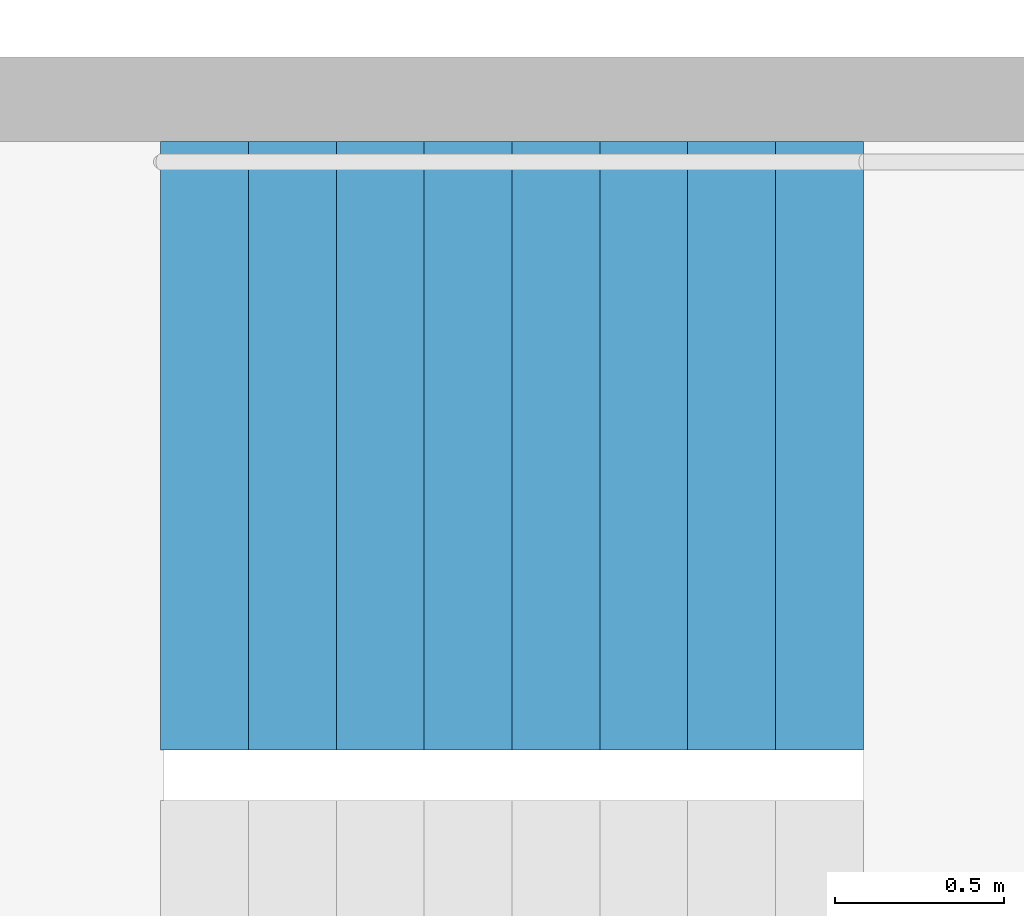
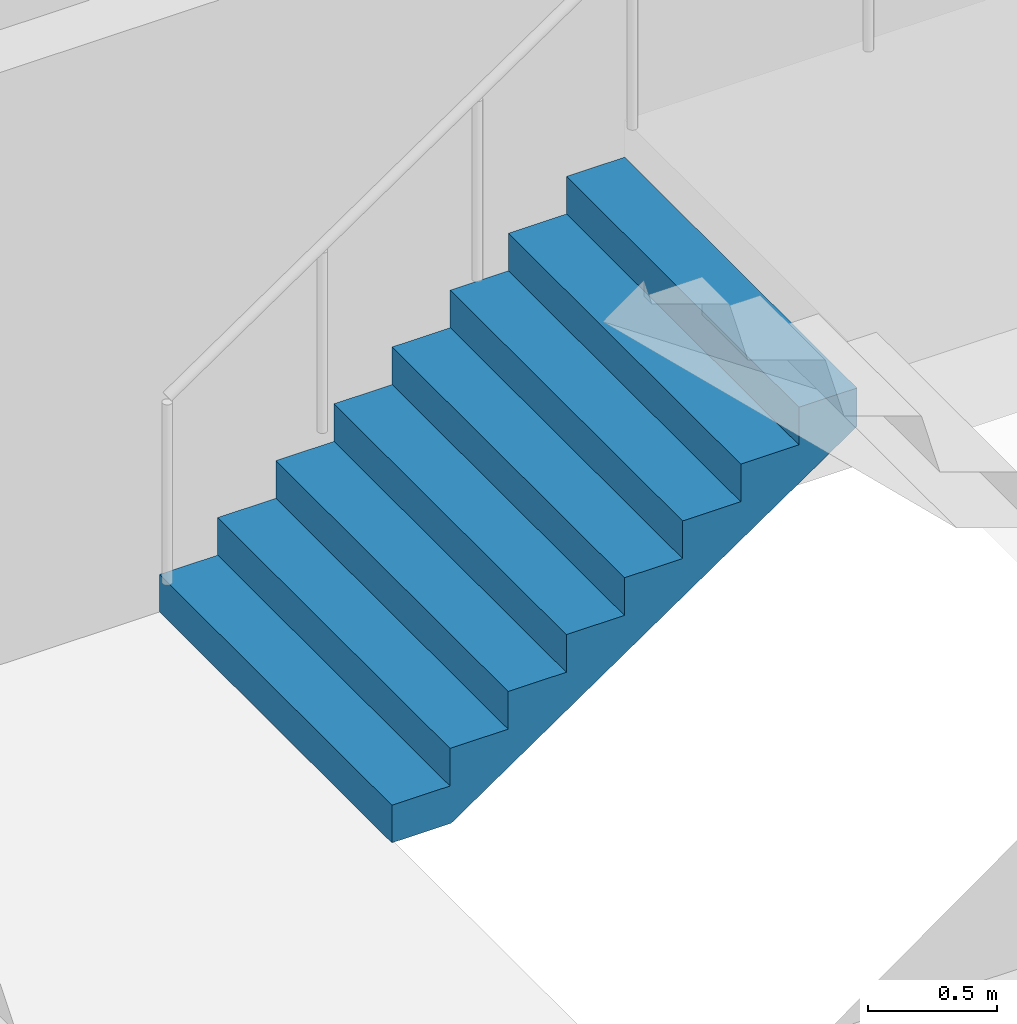
# One storey, part 26 of 29: 1 stair flight, 1 element without a shape of its own.
"""IFC4 building model written with IfcOpenShell, lengths in metres."""

import ifcopenshell
import ifcopenshell.guid

model = None  # the IFC model being written
_history = None  # IfcOwnerHistory: only IFC2X3 demands one
_inside = {}  # id of a spatial element -> (the spatial element, [elements in it])
_under = {}  # id of a project, library or spatial element -> (it, [spatial elements below it])
_declared = {}  # id of a project -> (the project, [libraries it declares])
_typed = {}  # id of a type object -> (the type object, [elements of that type])
_made_of = {}  # id of a material, layer set ... -> (it, [elements and type objects made of it])


def new_model(schema):
    """Start an empty IFC model of exactly this schema.

    Asked for "IFC4X3", IfcOpenShell would pick the latest addendum, in which some entities
    have other attributes; the version numbers below select the first issue.
    IFC2X3 requires an IfcOwnerHistory on every rooted entity: one is made here for all.
    """
    global model, _history
    if schema == "IFC4X3":
        model = ifcopenshell.file(schema_version=(4, 3, 0, 0))
    else:
        model = ifcopenshell.file(schema=schema)
    _inside.clear()
    _under.clear()
    _declared.clear()
    _typed.clear()
    _made_of.clear()
    _history = None
    if model.schema == "IFC2X3":
        org = make("IfcOrganization", Name="unknown")
        user = make(
            "IfcPersonAndOrganization",
            ThePerson=make("IfcPerson", FamilyName="unknown"),
            TheOrganization=org,
        )
        app = make(
            "IfcApplication",
            ApplicationDeveloper=org,
            Version="unknown",
            ApplicationFullName="unknown",
            ApplicationIdentifier="unknown",
        )
        _history = make(
            "IfcOwnerHistory",
            OwningUser=user,
            OwningApplication=app,
            ChangeAction="ADDED",
            CreationDate=0,
        )
    return model


def make(cls, **values):
    """One entity of the class cls with the attributes given. An attribute that is None is left unset."""
    return model.create_entity(
        cls, **{name: value for name, value in values.items() if value is not None}
    )


def rooted(cls, **values):
    """An entity with a GlobalId (a new one), such as an element, a storey or a relation."""
    return make(cls, GlobalId=ifcopenshell.guid.new(), OwnerHistory=_history, **values)


def si_unit(unit_type, name, prefix=None):
    """IfcSIUnit, for example si_unit("LENGTHUNIT", "METRE", prefix="MILLI")."""
    return make("IfcSIUnit", UnitType=unit_type, Prefix=prefix, Name=name)


def assignment(units):
    """IfcUnitAssignment: the units of a project."""
    return None if units is None else make("IfcUnitAssignment", Units=units)


def point(xyz):
    """IfcCartesianPoint."""
    return None if xyz is None else make("IfcCartesianPoint", Coordinates=xyz)


def direction(xyz):
    """IfcDirection."""
    return None if xyz is None else make("IfcDirection", DirectionRatios=xyz)


def frame(location, z_axis=None, x_axis=None):
    """IfcAxis2Placement3D, a coordinate frame: its origin and axes. An axis left out is left unset."""
    return make(
        "IfcAxis2Placement3D",
        Location=point(location),
        Axis=direction(z_axis),
        RefDirection=direction(x_axis),
    )


def origin():
    """The frame at (0, 0, 0) with its axes left unset."""
    return frame((0.0, 0.0, 0.0))


def place(relative_to, where):
    """IfcLocalPlacement: puts the frame where relative to a parent placement (None: the world)."""
    return make(
        "IfcLocalPlacement", PlacementRelTo=relative_to, RelativePlacement=where
    )


def context(
    kind, dimensions, precision=None, world=None, true_north=None, identifier=None
):
    """IfcGeometricRepresentationContext, for example the 3D "Model" context."""
    return make(
        "IfcGeometricRepresentationContext",
        ContextIdentifier=identifier,
        ContextType=kind,
        CoordinateSpaceDimension=dimensions,
        Precision=precision,
        WorldCoordinateSystem=world,
        TrueNorth=true_north,
    )


def subcontext(parent, identifier, kind, view, scale=None):
    """IfcGeometricRepresentationSubContext, for example "Body" below "Model"."""
    return make(
        "IfcGeometricRepresentationSubContext",
        ContextIdentifier=identifier,
        ContextType=kind,
        ParentContext=parent,
        TargetScale=scale,
        TargetView=view,
    )


def project(units=None, contexts=None):
    """IfcProject with its units and contexts."""
    return rooted(
        "IfcProject",
        Name="project",
        RepresentationContexts=contexts,
        UnitsInContext=assignment(units),
    )


def spatial(cls, under=None, at=None, **own):
    """A site, building, storey or space (cls), placed at a placement, below another one or the project."""
    s = rooted(cls, ObjectPlacement=at, **own)
    if under is not None:
        _under.setdefault(under.id(), (under, []))[1].append(s)
    return s


def point_list(points):
    """IfcCartesianPointList2D or 3D."""
    cls = (
        "IfcCartesianPointList2D" if len(points[0]) == 2 else "IfcCartesianPointList3D"
    )
    return make(cls, CoordList=points)


def triangles(points, corners, closed=None, point_numbers=None):
    """IfcTriangulatedFaceSet: each triangle names its three corners, points numbered from 1."""
    return make(
        "IfcTriangulatedFaceSet",
        Coordinates=point_list(points),
        Closed=closed,
        CoordIndex=corners,
        PnIndex=point_numbers,
    )


def shape(context_of_items, identifier, shape_type, items):
    """IfcShapeRepresentation: the items that make up one representation, for example the "Body"."""
    return make(
        "IfcShapeRepresentation",
        ContextOfItems=context_of_items,
        RepresentationIdentifier=identifier,
        RepresentationType=shape_type,
        Items=items,
    )


def material(Name=None, Category=None):
    """IfcMaterial."""
    return make("IfcMaterial", Name=Name, Category=Category)


def made_of(thing, what):
    """Note that an element or type object is made of a material, layer set ...; save() writes the relation."""
    if what is not None:
        _made_of.setdefault(what.id(), (what, []))[1].append(thing)
    return thing


def type_object(cls, material=None, **own):
    """A type object (cls), such as IfcWallType, which elements share."""
    return made_of(rooted(cls, **own), material)


def element(
    cls,
    number,
    at=None,
    inside=None,
    cuts=None,
    type_object=None,
    material=None,
    context=None,
    identifier="Body",
    shape_type=None,
    held_by="IfcProductDefinitionShape",
    body=None,
    shapes=None,
    **own,
):
    """One element of the class cls, such as IfcWall. Its Tag is "e" and its number.

    at: its placement. inside: the storey or other place that contains it. cuts: it is an
    opening in that element (IfcRelVoidsElement). A single representation is given by context,
    identifier, shape_type and body (its items); several are given by shapes. held_by: the class
    of the entity that holds the representations. save() writes the other relations.
    """
    e = rooted(cls, Tag="e%d" % number, ObjectPlacement=at, **own)
    if body is not None:
        shapes = [shape(context, identifier, shape_type, body)]
    if shapes is not None:
        e.Representation = make(held_by, Representations=shapes)
    if inside is not None:
        _inside.setdefault(inside.id(), (inside, []))[1].append(e)
    if cuts is not None:
        rooted(
            "IfcRelVoidsElement", RelatingBuildingElement=cuts, RelatedOpeningElement=e
        )
    if type_object is not None:
        _typed.setdefault(type_object.id(), (type_object, []))[1].append(e)
    return made_of(e, material)


def aggregate(whole, parts):
    """IfcRelAggregates: a whole, such as a stair, and the parts it consists of."""
    return rooted("IfcRelAggregates", RelatingObject=whole, RelatedObjects=parts)


def save(model, path):
    """Write the relations noted so far, then the file.

    IfcRelAggregates (storeys below a building ...), IfcRelContainedInSpatialStructure (elements
    in a storey), IfcRelDefinesByType, IfcRelAssociatesMaterial and IfcRelDeclares: one each for
    every whole, place, type object, material and project.
    """
    for whole, parts in _under.values():
        aggregate(whole, parts)
    for where, things in _inside.values():
        rooted(
            "IfcRelContainedInSpatialStructure",
            RelatedElements=things,
            RelatingStructure=where,
        )
    for kind, things in _typed.values():
        rooted("IfcRelDefinesByType", RelatedObjects=things, RelatingType=kind)
    for what, things in _made_of.values():
        rooted("IfcRelAssociatesMaterial", RelatedObjects=things, RelatingMaterial=what)
    for by, libraries in _declared.values():
        rooted("IfcRelDeclares", RelatingContext=by, RelatedDefinitions=libraries)
    model.write(path)


model = new_model("IFC4")

# Units and contexts
model_context = context("Model", 3, precision=1e-05, world=origin(), true_north=direction((0.0, 1.0)))
body_context = subcontext(model_context, "Body", "Model", "MODEL_VIEW")
ifc_project = project(units=[si_unit("LENGTHUNIT", "METRE"), si_unit("AREAUNIT", "SQUARE_METRE"), si_unit("VOLUMEUNIT", "CUBIC_METRE"), si_unit("PLANEANGLEUNIT", "RADIAN"), si_unit("MASSUNIT", "GRAM", prefix="KILO")], contexts=[model_context])

# Site, building, storey
site_placement = place(None, origin())
site = spatial("IfcSite", under=ifc_project, at=site_placement, CompositionType="ELEMENT")
building_placement = place(site_placement, origin())
building = spatial("IfcBuilding", under=site, at=building_placement, Name="Hakoniwa Tower and Hamabe Station Hall", CompositionType="ELEMENT")
storey_placement = place(building_placement, frame((0.0, 0.0, 91.39990234375)))
storey = spatial("IfcBuildingStorey", under=building, at=storey_placement, Name="L25", CompositionType="ELEMENT", Elevation=91.39990234375)

# Stair, stair flight
ifc_material_1 = material(Name="Concrete C40", Category="concrete")
stair_type = type_object("IfcStairType", Name="ESCAPE STAIR 1800", PredefinedType="HALF_TURN_STAIR", material=ifc_material_1)
stair_placement = place(storey_placement, origin())
stair = element("IfcStair", 1, at=stair_placement, inside=storey, type_object=stair_type, Name="Escape stair ST-4 L25", PredefinedType="HALF_TURN_STAIR")
ifc_material_2 = material(Name="Concrete C40", Category="concrete")
stair_flight_type = type_object("IfcStairFlightType", Name="STAIR FLIGHT 1800", PredefinedType="STRAIGHT", material=ifc_material_2)
stair_flight_placement = place(storey_placement, frame((23.39990234375, -4.64990234375, 0.0), z_axis=(0.0, 0.0, 1.0), x_axis=(1.0, 0.0, 0.0)))
stair_flight = element("IfcStairFlight", 2, at=stair_flight_placement, type_object=stair_flight_type, Name="ST-4 flight 1", NumberOfRisers=9, NumberOfTreads=8, PredefinedType="STRAIGHT", RiserHeight=0.177777778, TreadLength=0.26, context=body_context, shape_type="Tessellation", body=[
    triangles([(0.0, 0.89990234375, 0.0), (0.260009765625, 0.89990234375, 0.0), (0.265625, 0.89990234375, 0.0), (0.52001953125, 0.89990234375, 0.174072265625), (0.780029296875, 0.89990234375, 0.351806640625), (1.0400390625, 0.89990234375, 0.529541015625), (1.300048828125, 0.89990234375, 0.707275390625), (1.56005859375, 0.89990234375, 0.885009765625), (1.820068359375, 0.89990234375, 1.062744140625), (2.080078125, 0.89990234375, 1.24072265625), (2.080078125, 0.89990234375, 1.422119140625), (1.820068359375, 0.89990234375, 1.422119140625), (1.820068359375, 0.89990234375, 1.244384765625), (1.56005859375, 0.89990234375, 1.244384765625), (1.56005859375, 0.89990234375, 1.066650390625), (1.300048828125, 0.89990234375, 1.066650390625), (1.300048828125, 0.89990234375, 0.888916015625), (1.0400390625, 0.89990234375, 0.888916015625), (1.0400390625, 0.89990234375, 0.711181640625), (0.780029296875, 0.89990234375, 0.711181640625), (0.780029296875, 0.89990234375, 0.533447265625), (0.52001953125, 0.89990234375, 0.533447265625), (0.52001953125, 0.89990234375, 0.35546875), (0.265625, 0.89990234375, 0.35546875), (0.260009765625, 0.89990234375, 0.35546875), (0.260009765625, 0.89990234375, 0.177734375), (0.0, 0.89990234375, 0.177734375), (0.0, 0.06005859375, 0.0), (0.260009765625, 0.06005859375, 0.0), (0.265625, 0.06005859375, 0.0), (0.52001953125, 0.06005859375, 0.174072265625), (0.780029296875, 0.06005859375, 0.351806640625), (1.0400390625, 0.06005859375, 0.529541015625), (1.300048828125, 0.06005859375, 0.707275390625), (1.56005859375, 0.06005859375, 0.885009765625), (1.820068359375, 0.06005859375, 1.062744140625), (2.080078125, 0.06005859375, 1.24072265625), (2.080078125, 0.06005859375, 1.422119140625), (1.820068359375, 0.06005859375, 1.422119140625), (1.820068359375, 0.06005859375, 1.244384765625), (1.56005859375, 0.06005859375, 1.244384765625), (1.56005859375, 0.06005859375, 1.066650390625), (1.300048828125, 0.06005859375, 1.066650390625), (1.300048828125, 0.06005859375, 0.888916015625), (1.0400390625, 0.06005859375, 0.888916015625), (1.0400390625, 0.06005859375, 0.711181640625), (0.780029296875, 0.06005859375, 0.711181640625), (0.780029296875, 0.06005859375, 0.533447265625), (0.52001953125, 0.06005859375, 0.533447265625), (0.52001953125, 0.06005859375, 0.35546875), (0.265625, 0.06005859375, 0.35546875), (0.260009765625, 0.06005859375, 0.35546875), (0.260009765625, 0.06005859375, 0.177734375), (0.0, 0.06005859375, 0.177734375), (0.0, 0.04296875, 0.0), (0.260009765625, 0.04296875, 0.0), (0.265625, 0.04296875, 0.0), (0.52001953125, 0.04296875, 0.174072265625), (0.780029296875, 0.04296875, 0.351806640625), (1.0400390625, 0.04296875, 0.529541015625), (1.300048828125, 0.04296875, 0.707275390625), (1.56005859375, 0.04296875, 0.885009765625), (1.820068359375, 0.04296875, 1.062744140625), (2.080078125, 0.04296875, 1.24072265625), (2.080078125, 0.04296875, 1.422119140625), (1.820068359375, 0.04296875, 1.422119140625), (1.820068359375, 0.04296875, 1.244384765625), (1.56005859375, 0.04296875, 1.244384765625), (1.56005859375, 0.04296875, 1.066650390625), (1.300048828125, 0.04296875, 1.066650390625), (1.300048828125, 0.04296875, 0.888916015625), (1.0400390625, 0.04296875, 0.888916015625), (1.0400390625, 0.04296875, 0.711181640625), (0.780029296875, 0.04296875, 0.711181640625), (0.780029296875, 0.04296875, 0.533447265625), (0.52001953125, 0.04296875, 0.533447265625), (0.52001953125, 0.04296875, 0.35546875), (0.265625, 0.04296875, 0.35546875), (0.260009765625, 0.04296875, 0.35546875), (0.260009765625, 0.04296875, 0.177734375), (0.0, 0.04296875, 0.177734375), (0.0, 0.025634765625, 0.0), (0.260009765625, 0.025634765625, 0.0), (0.265625, 0.025634765625, 0.0), (0.52001953125, 0.025634765625, 0.174072265625), (0.780029296875, 0.025634765625, 0.351806640625), (1.0400390625, 0.025634765625, 0.529541015625), (1.300048828125, 0.025634765625, 0.707275390625), (1.56005859375, 0.025634765625, 0.885009765625), (1.820068359375, 0.025634765625, 1.062744140625), (2.080078125, 0.025634765625, 1.24072265625), (2.080078125, 0.025634765625, 1.422119140625), (1.820068359375, 0.025634765625, 1.422119140625), (1.820068359375, 0.025634765625, 1.244384765625), (1.56005859375, 0.025634765625, 1.244384765625), (1.56005859375, 0.025634765625, 1.066650390625), (1.300048828125, 0.025634765625, 1.066650390625), (1.300048828125, 0.025634765625, 0.888916015625), (1.0400390625, 0.025634765625, 0.888916015625), (1.0400390625, 0.025634765625, 0.711181640625), (0.780029296875, 0.025634765625, 0.711181640625), (0.780029296875, 0.025634765625, 0.533447265625), (0.52001953125, 0.025634765625, 0.533447265625), (0.52001953125, 0.025634765625, 0.35546875), (0.265625, 0.025634765625, 0.35546875), (0.260009765625, 0.025634765625, 0.35546875), (0.260009765625, 0.025634765625, 0.177734375), (0.0, 0.025634765625, 0.177734375), (0.0, 0.008544921875, 0.0), (0.260009765625, 0.008544921875, 0.0), (0.265625, 0.008544921875, 0.0), (0.52001953125, 0.008544921875, 0.174072265625), (0.780029296875, 0.008544921875, 0.351806640625), (1.0400390625, 0.008544921875, 0.529541015625), (1.300048828125, 0.008544921875, 0.707275390625), (1.56005859375, 0.008544921875, 0.885009765625), (1.820068359375, 0.008544921875, 1.062744140625), (2.080078125, 0.008544921875, 1.24072265625), (2.080078125, 0.008544921875, 1.422119140625), (1.820068359375, 0.008544921875, 1.422119140625), (1.820068359375, 0.008544921875, 1.244384765625), (1.56005859375, 0.008544921875, 1.244384765625), (1.56005859375, 0.008544921875, 1.066650390625), (1.300048828125, 0.008544921875, 1.066650390625), (1.300048828125, 0.008544921875, 0.888916015625), (1.0400390625, 0.008544921875, 0.888916015625), (1.0400390625, 0.008544921875, 0.711181640625), (0.780029296875, 0.008544921875, 0.711181640625), (0.780029296875, 0.008544921875, 0.533447265625), (0.52001953125, 0.008544921875, 0.533447265625), (0.52001953125, 0.008544921875, 0.35546875), (0.265625, 0.008544921875, 0.35546875), (0.260009765625, 0.008544921875, 0.35546875), (0.260009765625, 0.008544921875, 0.177734375), (0.0, 0.008544921875, 0.177734375), (0.0, -0.008544921875, 0.0), (0.260009765625, -0.008544921875, 0.0), (0.265625, -0.008544921875, 0.0), (0.52001953125, -0.008544921875, 0.174072265625), (0.780029296875, -0.008544921875, 0.351806640625), (1.0400390625, -0.008544921875, 0.529541015625), (1.300048828125, -0.008544921875, 0.707275390625), (1.56005859375, -0.008544921875, 0.885009765625), (1.820068359375, -0.008544921875, 1.062744140625), (2.080078125, -0.008544921875, 1.24072265625), (2.080078125, -0.008544921875, 1.422119140625), (1.820068359375, -0.008544921875, 1.422119140625), (1.820068359375, -0.008544921875, 1.244384765625), (1.56005859375, -0.008544921875, 1.244384765625), (1.56005859375, -0.008544921875, 1.066650390625), (1.300048828125, -0.008544921875, 1.066650390625), (1.300048828125, -0.008544921875, 0.888916015625), (1.0400390625, -0.008544921875, 0.888916015625), (1.0400390625, -0.008544921875, 0.711181640625), (0.780029296875, -0.008544921875, 0.711181640625), (0.780029296875, -0.008544921875, 0.533447265625), (0.52001953125, -0.008544921875, 0.533447265625), (0.52001953125, -0.008544921875, 0.35546875), (0.265625, -0.008544921875, 0.35546875), (0.260009765625, -0.008544921875, 0.35546875), (0.260009765625, -0.008544921875, 0.177734375), (0.0, -0.008544921875, 0.177734375), (0.0, -0.025634765625, 0.0), (0.260009765625, -0.025634765625, 0.0), (0.265625, -0.025634765625, 0.0), (0.52001953125, -0.025634765625, 0.174072265625), (0.780029296875, -0.025634765625, 0.351806640625), (1.0400390625, -0.025634765625, 0.529541015625), (1.300048828125, -0.025634765625, 0.707275390625), (1.56005859375, -0.025634765625, 0.885009765625), (1.820068359375, -0.025634765625, 1.062744140625), (2.080078125, -0.025634765625, 1.24072265625), (2.080078125, -0.025634765625, 1.422119140625), (1.820068359375, -0.025634765625, 1.422119140625), (1.820068359375, -0.025634765625, 1.244384765625), (1.56005859375, -0.025634765625, 1.244384765625), (1.56005859375, -0.025634765625, 1.066650390625), (1.300048828125, -0.025634765625, 1.066650390625), (1.300048828125, -0.025634765625, 0.888916015625), (1.0400390625, -0.025634765625, 0.888916015625), (1.0400390625, -0.025634765625, 0.711181640625), (0.780029296875, -0.025634765625, 0.711181640625), (0.780029296875, -0.025634765625, 0.533447265625), (0.52001953125, -0.025634765625, 0.533447265625), (0.52001953125, -0.025634765625, 0.35546875), (0.265625, -0.025634765625, 0.35546875), (0.260009765625, -0.025634765625, 0.35546875), (0.260009765625, -0.025634765625, 0.177734375), (0.0, -0.025634765625, 0.177734375), (0.0, -0.04296875, 0.0), (0.260009765625, -0.04296875, 0.0), (0.265625, -0.04296875, 0.0), (0.52001953125, -0.04296875, 0.174072265625), (0.780029296875, -0.04296875, 0.351806640625), (1.0400390625, -0.04296875, 0.529541015625), (1.300048828125, -0.04296875, 0.707275390625), (1.56005859375, -0.04296875, 0.885009765625), (1.820068359375, -0.04296875, 1.062744140625), (2.080078125, -0.04296875, 1.24072265625), (2.080078125, -0.04296875, 1.422119140625), (1.820068359375, -0.04296875, 1.422119140625), (1.820068359375, -0.04296875, 1.244384765625), (1.56005859375, -0.04296875, 1.244384765625), (1.56005859375, -0.04296875, 1.066650390625), (1.300048828125, -0.04296875, 1.066650390625), (1.300048828125, -0.04296875, 0.888916015625), (1.0400390625, -0.04296875, 0.888916015625), (1.0400390625, -0.04296875, 0.711181640625), (0.780029296875, -0.04296875, 0.711181640625), (0.780029296875, -0.04296875, 0.533447265625), (0.52001953125, -0.04296875, 0.533447265625), (0.52001953125, -0.04296875, 0.35546875), (0.265625, -0.04296875, 0.35546875), (0.260009765625, -0.04296875, 0.35546875), (0.260009765625, -0.04296875, 0.177734375), (0.0, -0.04296875, 0.177734375), (0.0, -0.06005859375, 0.0), (0.260009765625, -0.06005859375, 0.0), (0.265625, -0.06005859375, 0.0), (0.52001953125, -0.06005859375, 0.174072265625), (0.780029296875, -0.06005859375, 0.351806640625), (1.0400390625, -0.06005859375, 0.529541015625), (1.300048828125, -0.06005859375, 0.707275390625), (1.56005859375, -0.06005859375, 0.885009765625), (1.820068359375, -0.06005859375, 1.062744140625), (2.080078125, -0.06005859375, 1.24072265625), (2.080078125, -0.06005859375, 1.422119140625), (1.820068359375, -0.06005859375, 1.422119140625), (1.820068359375, -0.06005859375, 1.244384765625), (1.56005859375, -0.06005859375, 1.244384765625), (1.56005859375, -0.06005859375, 1.066650390625), (1.300048828125, -0.06005859375, 1.066650390625), (1.300048828125, -0.06005859375, 0.888916015625), (1.0400390625, -0.06005859375, 0.888916015625), (1.0400390625, -0.06005859375, 0.711181640625), (0.780029296875, -0.06005859375, 0.711181640625), (0.780029296875, -0.06005859375, 0.533447265625), (0.52001953125, -0.06005859375, 0.533447265625), (0.52001953125, -0.06005859375, 0.35546875), (0.265625, -0.06005859375, 0.35546875), (0.260009765625, -0.06005859375, 0.35546875), (0.260009765625, -0.06005859375, 0.177734375), (0.0, -0.06005859375, 0.177734375), (0.0, -0.89990234375, 0.0), (0.260009765625, -0.89990234375, 0.0), (0.265625, -0.89990234375, 0.0), (0.52001953125, -0.89990234375, 0.174072265625), (0.780029296875, -0.89990234375, 0.351806640625), (1.0400390625, -0.89990234375, 0.529541015625), (1.300048828125, -0.89990234375, 0.707275390625), (1.56005859375, -0.89990234375, 0.885009765625), (1.820068359375, -0.89990234375, 1.062744140625), (2.080078125, -0.89990234375, 1.24072265625), (2.080078125, -0.89990234375, 1.422119140625), (1.820068359375, -0.89990234375, 1.422119140625), (1.820068359375, -0.89990234375, 1.244384765625), (1.56005859375, -0.89990234375, 1.244384765625), (1.56005859375, -0.89990234375, 1.066650390625), (1.300048828125, -0.89990234375, 1.066650390625), (1.300048828125, -0.89990234375, 0.888916015625), (1.0400390625, -0.89990234375, 0.888916015625), (1.0400390625, -0.89990234375, 0.711181640625), (0.780029296875, -0.89990234375, 0.711181640625), (0.780029296875, -0.89990234375, 0.533447265625), (0.52001953125, -0.89990234375, 0.533447265625), (0.52001953125, -0.89990234375, 0.35546875), (0.265625, -0.89990234375, 0.35546875), (0.260009765625, -0.89990234375, 0.35546875), (0.260009765625, -0.89990234375, 0.177734375), (0.0, -0.89990234375, 0.177734375)], [[2, 27, 26], [245, 269, 270], [2, 1, 27], [245, 270, 244], [3, 25, 24], [246, 267, 268], [3, 26, 25], [246, 268, 269], [3, 2, 26], [246, 269, 245], [4, 24, 23], [247, 266, 267], [4, 3, 24], [247, 267, 246], [5, 22, 21], [248, 264, 265], [5, 23, 22], [248, 265, 266], [5, 4, 23], [248, 266, 247], [6, 20, 19], [249, 262, 263], [6, 21, 20], [249, 263, 264], [6, 5, 21], [249, 264, 248], [7, 18, 17], [250, 260, 261], [7, 19, 18], [250, 261, 262], [7, 6, 19], [250, 262, 249], [8, 16, 15], [251, 258, 259], [8, 17, 16], [251, 259, 260], [8, 7, 17], [251, 260, 250], [9, 14, 13], [252, 256, 257], [9, 15, 14], [252, 257, 258], [9, 8, 15], [252, 258, 251], [10, 12, 11], [253, 254, 255], [10, 13, 12], [253, 255, 256], [10, 9, 13], [253, 256, 252], [1, 2, 29], [1, 29, 28], [28, 29, 56], [28, 56, 55], [55, 56, 83], [55, 83, 82], [82, 83, 110], [82, 110, 109], [109, 110, 137], [109, 137, 136], [136, 137, 164], [136, 164, 163], [163, 164, 191], [163, 191, 190], [190, 191, 218], [190, 218, 217], [217, 218, 245], [217, 245, 244], [2, 3, 30], [2, 30, 29], [29, 30, 57], [29, 57, 56], [56, 57, 84], [56, 84, 83], [83, 84, 111], [83, 111, 110], [110, 111, 138], [110, 138, 137], [137, 138, 165], [137, 165, 164], [164, 165, 192], [164, 192, 191], [191, 192, 219], [191, 219, 218], [218, 219, 246], [218, 246, 245], [3, 4, 31], [3, 31, 30], [30, 31, 58], [30, 58, 57], [57, 58, 85], [57, 85, 84], [84, 85, 112], [84, 112, 111], [111, 112, 139], [111, 139, 138], [138, 139, 166], [138, 166, 165], [165, 166, 193], [165, 193, 192], [192, 193, 220], [192, 220, 219], [219, 220, 247], [219, 247, 246], [4, 5, 32], [4, 32, 31], [31, 32, 59], [31, 59, 58], [58, 59, 86], [58, 86, 85], [85, 86, 113], [85, 113, 112], [112, 113, 140], [112, 140, 139], [139, 140, 167], [139, 167, 166], [166, 167, 194], [166, 194, 193], [193, 194, 221], [193, 221, 220], [220, 221, 248], [220, 248, 247], [5, 6, 33], [5, 33, 32], [32, 33, 60], [32, 60, 59], [59, 60, 87], [59, 87, 86], [86, 87, 114], [86, 114, 113], [113, 114, 141], [113, 141, 140], [140, 141, 168], [140, 168, 167], [167, 168, 195], [167, 195, 194], [194, 195, 222], [194, 222, 221], [221, 222, 249], [221, 249, 248], [6, 7, 34], [6, 34, 33], [33, 34, 61], [33, 61, 60], [60, 61, 88], [60, 88, 87], [87, 88, 115], [87, 115, 114], [114, 115, 142], [114, 142, 141], [141, 142, 169], [141, 169, 168], [168, 169, 196], [168, 196, 195], [195, 196, 223], [195, 223, 222], [222, 223, 250], [222, 250, 249], [7, 8, 35], [7, 35, 34], [34, 35, 62], [34, 62, 61], [61, 62, 89], [61, 89, 88], [88, 89, 116], [88, 116, 115], [115, 116, 143], [115, 143, 142], [142, 143, 170], [142, 170, 169], [169, 170, 197], [169, 197, 196], [196, 197, 224], [196, 224, 223], [223, 224, 251], [223, 251, 250], [8, 9, 36], [8, 36, 35], [35, 36, 63], [35, 63, 62], [62, 63, 90], [62, 90, 89], [89, 90, 117], [89, 117, 116], [116, 117, 144], [116, 144, 143], [143, 144, 171], [143, 171, 170], [170, 171, 198], [170, 198, 197], [197, 198, 225], [197, 225, 224], [224, 225, 252], [224, 252, 251], [9, 10, 37], [9, 37, 36], [36, 37, 64], [36, 64, 63], [63, 64, 91], [63, 91, 90], [90, 91, 118], [90, 118, 117], [117, 118, 145], [117, 145, 144], [144, 145, 172], [144, 172, 171], [171, 172, 199], [171, 199, 198], [198, 199, 226], [198, 226, 225], [225, 226, 253], [225, 253, 252], [10, 11, 38], [10, 38, 37], [37, 38, 65], [37, 65, 64], [64, 65, 92], [64, 92, 91], [91, 92, 119], [91, 119, 118], [118, 119, 146], [118, 146, 145], [145, 146, 173], [145, 173, 172], [172, 173, 200], [172, 200, 199], [199, 200, 227], [199, 227, 226], [226, 227, 254], [226, 254, 253], [11, 12, 39], [11, 39, 38], [38, 39, 66], [38, 66, 65], [65, 66, 93], [65, 93, 92], [92, 93, 120], [92, 120, 119], [119, 120, 147], [119, 147, 146], [146, 147, 174], [146, 174, 173], [173, 174, 201], [173, 201, 200], [200, 201, 228], [200, 228, 227], [227, 228, 255], [227, 255, 254], [12, 13, 40], [12, 40, 39], [39, 40, 67], [39, 67, 66], [66, 67, 94], [66, 94, 93], [93, 94, 121], [93, 121, 120], [120, 121, 148], [120, 148, 147], [147, 148, 175], [147, 175, 174], [174, 175, 202], [174, 202, 201], [201, 202, 229], [201, 229, 228], [228, 229, 256], [228, 256, 255], [13, 14, 41], [13, 41, 40], [40, 41, 68], [40, 68, 67], [67, 68, 95], [67, 95, 94], [94, 95, 122], [94, 122, 121], [121, 122, 149], [121, 149, 148], [148, 149, 176], [148, 176, 175], [175, 176, 203], [175, 203, 202], [202, 203, 230], [202, 230, 229], [229, 230, 257], [229, 257, 256], [14, 15, 42], [14, 42, 41], [41, 42, 69], [41, 69, 68], [68, 69, 96], [68, 96, 95], [95, 96, 123], [95, 123, 122], [122, 123, 150], [122, 150, 149], [149, 150, 177], [149, 177, 176], [176, 177, 204], [176, 204, 203], [203, 204, 231], [203, 231, 230], [230, 231, 258], [230, 258, 257], [15, 16, 43], [15, 43, 42], [42, 43, 70], [42, 70, 69], [69, 70, 97], [69, 97, 96], [96, 97, 124], [96, 124, 123], [123, 124, 151], [123, 151, 150], [150, 151, 178], [150, 178, 177], [177, 178, 205], [177, 205, 204], [204, 205, 232], [204, 232, 231], [231, 232, 259], [231, 259, 258], [16, 17, 44], [16, 44, 43], [43, 44, 71], [43, 71, 70], [70, 71, 98], [70, 98, 97], [97, 98, 125], [97, 125, 124], [124, 125, 152], [124, 152, 151], [151, 152, 179], [151, 179, 178], [178, 179, 206], [178, 206, 205], [205, 206, 233], [205, 233, 232], [232, 233, 260], [232, 260, 259], [17, 18, 45], [17, 45, 44], [44, 45, 72], [44, 72, 71], [71, 72, 99], [71, 99, 98], [98, 99, 126], [98, 126, 125], [125, 126, 153], [125, 153, 152], [152, 153, 180], [152, 180, 179], [179, 180, 207], [179, 207, 206], [206, 207, 234], [206, 234, 233], [233, 234, 261], [233, 261, 260], [18, 19, 46], [18, 46, 45], [45, 46, 73], [45, 73, 72], [72, 73, 100], [72, 100, 99], [99, 100, 127], [99, 127, 126], [126, 127, 154], [126, 154, 153], [153, 154, 181], [153, 181, 180], [180, 181, 208], [180, 208, 207], [207, 208, 235], [207, 235, 234], [234, 235, 262], [234, 262, 261], [19, 20, 47], [19, 47, 46], [46, 47, 74], [46, 74, 73], [73, 74, 101], [73, 101, 100], [100, 101, 128], [100, 128, 127], [127, 128, 155], [127, 155, 154], [154, 155, 182], [154, 182, 181], [181, 182, 209], [181, 209, 208], [208, 209, 236], [208, 236, 235], [235, 236, 263], [235, 263, 262], [20, 21, 48], [20, 48, 47], [47, 48, 75], [47, 75, 74], [74, 75, 102], [74, 102, 101], [101, 102, 129], [101, 129, 128], [128, 129, 156], [128, 156, 155], [155, 156, 183], [155, 183, 182], [182, 183, 210], [182, 210, 209], [209, 210, 237], [209, 237, 236], [236, 237, 264], [236, 264, 263], [21, 22, 49], [21, 49, 48], [48, 49, 76], [48, 76, 75], [75, 76, 103], [75, 103, 102], [102, 103, 130], [102, 130, 129], [129, 130, 157], [129, 157, 156], [156, 157, 184], [156, 184, 183], [183, 184, 211], [183, 211, 210], [210, 211, 238], [210, 238, 237], [237, 238, 265], [237, 265, 264], [22, 23, 50], [22, 50, 49], [49, 50, 77], [49, 77, 76], [76, 77, 104], [76, 104, 103], [103, 104, 131], [103, 131, 130], [130, 131, 158], [130, 158, 157], [157, 158, 185], [157, 185, 184], [184, 185, 212], [184, 212, 211], [211, 212, 239], [211, 239, 238], [238, 239, 266], [238, 266, 265], [23, 24, 51], [23, 51, 50], [50, 51, 78], [50, 78, 77], [77, 78, 105], [77, 105, 104], [104, 105, 132], [104, 132, 131], [131, 132, 159], [131, 159, 158], [158, 159, 186], [158, 186, 185], [185, 186, 213], [185, 213, 212], [212, 213, 240], [212, 240, 239], [239, 240, 267], [239, 267, 266], [24, 25, 52], [24, 52, 51], [51, 52, 79], [51, 79, 78], [78, 79, 106], [78, 106, 105], [105, 106, 133], [105, 133, 132], [132, 133, 160], [132, 160, 159], [159, 160, 187], [159, 187, 186], [186, 187, 214], [186, 214, 213], [213, 214, 241], [213, 241, 240], [240, 241, 268], [240, 268, 267], [25, 26, 53], [25, 53, 52], [52, 53, 80], [52, 80, 79], [79, 80, 107], [79, 107, 106], [106, 107, 134], [106, 134, 133], [133, 134, 161], [133, 161, 160], [160, 161, 188], [160, 188, 187], [187, 188, 215], [187, 215, 214], [214, 215, 242], [214, 242, 241], [241, 242, 269], [241, 269, 268], [26, 27, 54], [26, 54, 53], [53, 54, 81], [53, 81, 80], [80, 81, 108], [80, 108, 107], [107, 108, 135], [107, 135, 134], [134, 135, 162], [134, 162, 161], [161, 162, 189], [161, 189, 188], [188, 189, 216], [188, 216, 215], [215, 216, 243], [215, 243, 242], [242, 243, 270], [242, 270, 269], [27, 1, 28], [27, 28, 54], [54, 28, 55], [54, 55, 81], [81, 55, 82], [81, 82, 108], [108, 82, 109], [108, 109, 135], [135, 109, 136], [135, 136, 162], [162, 136, 163], [162, 163, 189], [189, 163, 190], [189, 190, 216], [216, 190, 217], [216, 217, 243], [243, 217, 244], [243, 244, 270]], closed=True),
])
aggregate(stair, [stair_flight])

save(model, "model.ifc")
